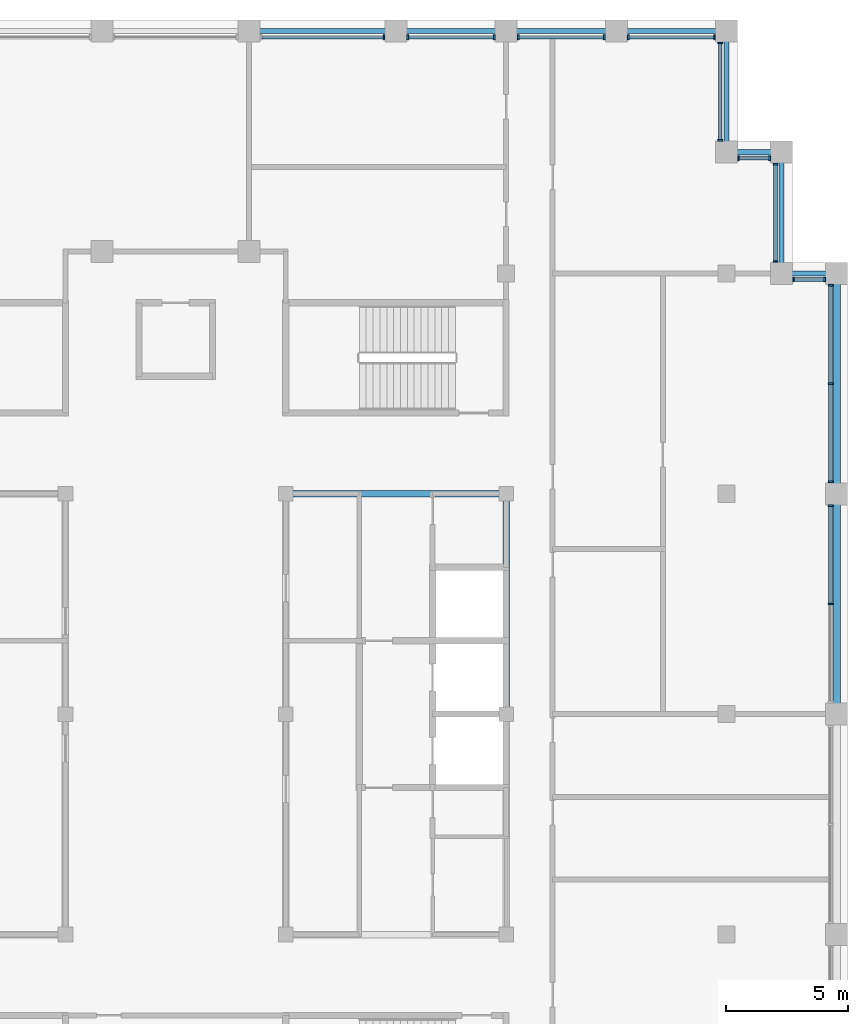
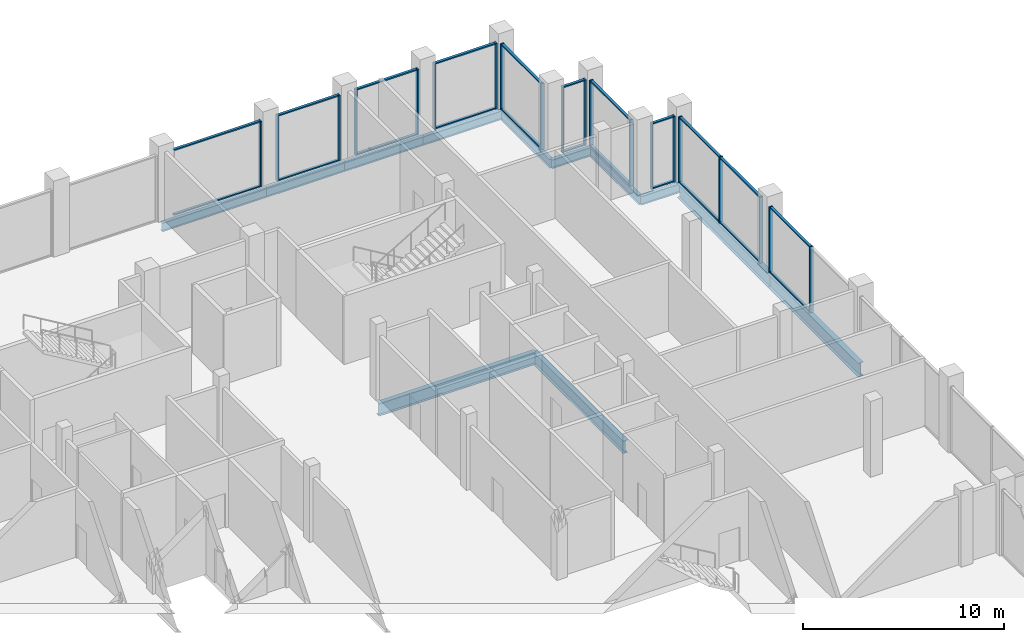
# One storey, part 6 of 13: 42 members, 12 beams, 10 elements without a shape of their own.
"""IFC4 building model written with IfcOpenShell, lengths in metres."""

from ifc_helpers import new_model, si_unit, direction, frame, origin, origin_2d, place, context, subcontext, project, spatial, rectangle, i_section, extrude, material, layer, layer_set, material_profile, profile_set, type_object, element, aggregate, save


model = new_model("IFC4")

# Units and contexts
model_context = context("Model", 3, precision=1e-05, world=origin(), true_north=direction((0.0, 1.0)))
body_context = subcontext(model_context, "Body", "Model", "MODEL_VIEW")
ifc_project = project(units=[si_unit("LENGTHUNIT", "METRE"), si_unit("AREAUNIT", "SQUARE_METRE"), si_unit("VOLUMEUNIT", "CUBIC_METRE"), si_unit("PLANEANGLEUNIT", "RADIAN"), si_unit("MASSUNIT", "GRAM", prefix="KILO")], contexts=[model_context])

# Site, building, storey
site_placement = place(None, origin())
site = spatial("IfcSite", under=ifc_project, at=site_placement, CompositionType="ELEMENT")
building_placement = place(site_placement, origin())
building = spatial("IfcBuilding", under=site, at=building_placement, Name="Corbelhall Arena Tower", CompositionType="ELEMENT")
storey_placement = place(building_placement, frame((0.0, 0.0, 361.0)))
storey = spatial("IfcBuildingStorey", under=building, at=storey_placement, Name="L79", CompositionType="ELEMENT", Elevation=361.0)

# Curtain wall, members
ifc_material_1 = material(Name="Aluminium black anodised", Category="aluminium")
ifc_layer = layer(ifc_material_1, 0.179931640625)
ifc_layer_set = layer_set([ifc_layer], Name="EV-CW3 Crown glazing")
curtain_wall_type = type_object("IfcCurtainWallType", Name="EV-CW3 Crown glazing", PredefinedType="NOTDEFINED", material=ifc_layer_set)
curtain_wall_1_placement = place(storey_placement, origin())
curtain_wall_1 = element("IfcCurtainWall", 1, at=curtain_wall_1_placement, inside=storey, type_object=curtain_wall_type, Name="Curtain wall CW3", PredefinedType="NOTDEFINED")
ifc_material_profile_1 = material_profile(ifc_material_1, rectangle(XDim=0.199951171875, YDim=0.074951171875, at=origin_2d()))
ifc_profile_set_1 = profile_set([ifc_material_profile_1], Name="Aluminium black anodised")
member_type_1 = type_object("IfcMemberType", Name="EV-CW3-MULLION", PredefinedType="MULLION", material=ifc_profile_set_1)
member_1_placement = place(storey_placement, frame((26.75, 4.5, 0.0), z_axis=(0.0, 0.0, 1.0), x_axis=(-1.0, 0.0, 0.0)))
member_1 = element("IfcMember", 2, at=member_1_placement, type_object=member_type_1, Name="CW3 mullion 2", PredefinedType="MULLION", context=body_context, shape_type="SweptSolid", body=[
    extrude(rectangle(XDim=0.199951171875, YDim=0.074951171875, at=origin_2d()), origin(), (0.0, 0.0, 1.0), 3.99951171875),
])
member_2_placement = place(storey_placement, frame((26.75, 8.512451171875, 0.0), z_axis=(0.0, 0.0, 1.0), x_axis=(-1.0, 0.0, 0.0)))
member_2 = element("IfcMember", 3, at=member_2_placement, type_object=member_type_1, Name="CW3 mullion 3", PredefinedType="MULLION", context=body_context, shape_type="SweptSolid", body=[
    extrude(rectangle(XDim=0.199951171875, YDim=0.074951171875, at=origin_2d()), origin(), (0.0, 0.0, 1.0), 3.99951171875),
])

curtain_wall_2_placement = place(storey_placement, origin())
curtain_wall_2 = element("IfcCurtainWall", 4, at=curtain_wall_2_placement, inside=storey, type_object=curtain_wall_type, Name="Curtain wall CW3", PredefinedType="NOTDEFINED")
member_3_placement = place(storey_placement, frame((26.75, 9.487548828125, 0.0), z_axis=(0.0, 0.0, 1.0), x_axis=(-1.0, 0.0, 0.0)))
member_3 = element("IfcMember", 5, at=member_3_placement, type_object=member_type_1, Name="CW3 mullion 1", PredefinedType="MULLION", context=body_context, shape_type="SweptSolid", body=[
    extrude(rectangle(XDim=0.199951171875, YDim=0.074951171875, at=origin_2d()), origin(), (0.0, 0.0, 1.0), 3.99951171875),
])
member_4_placement = place(storey_placement, frame((26.75, 13.5, 0.0), z_axis=(0.0, 0.0, 1.0), x_axis=(-1.0, 0.0, 0.0)))
member_4 = element("IfcMember", 6, at=member_4_placement, type_object=member_type_1, Name="CW3 mullion 2", PredefinedType="MULLION", context=body_context, shape_type="SweptSolid", body=[
    extrude(rectangle(XDim=0.199951171875, YDim=0.074951171875, at=origin_2d()), origin(), (0.0, 0.0, 1.0), 3.99951171875),
])
member_5_placement = place(storey_placement, frame((26.75, 17.512451171875, 0.0), z_axis=(0.0, 0.0, 1.0), x_axis=(-1.0, 0.0, 0.0)))
member_5 = element("IfcMember", 7, at=member_5_placement, type_object=member_type_1, Name="CW3 mullion 3", PredefinedType="MULLION", context=body_context, shape_type="SweptSolid", body=[
    extrude(rectangle(XDim=0.199951171875, YDim=0.074951171875, at=origin_2d()), origin(), (0.0, 0.0, 1.0), 3.99951171875),
])

curtain_wall_3_placement = place(storey_placement, origin())
curtain_wall_3 = element("IfcCurtainWall", 8, at=curtain_wall_3_placement, inside=storey, type_object=curtain_wall_type, Name="Curtain wall CW3B", PredefinedType="NOTDEFINED")
member_6_placement = place(storey_placement, frame((26.512451171875, 17.75, 0.0), z_axis=(0.0, 0.0, 1.0), x_axis=(0.0, -1.0, 0.0)))
member_6 = element("IfcMember", 9, at=member_6_placement, type_object=member_type_1, Name="CW3B mullion 1", PredefinedType="MULLION", context=body_context, shape_type="SweptSolid", body=[
    extrude(rectangle(XDim=0.199951171875, YDim=0.074951171875, at=origin_2d()), origin(), (0.0, 0.0, 1.0), 3.99951171875),
])
member_7_placement = place(storey_placement, frame((25.237548828125, 17.75, 0.0), z_axis=(0.0, 0.0, 1.0), x_axis=(0.0, -1.0, 0.0)))
member_7 = element("IfcMember", 10, at=member_7_placement, type_object=member_type_1, Name="CW3B mullion 2", PredefinedType="MULLION", context=body_context, shape_type="SweptSolid", body=[
    extrude(rectangle(XDim=0.199951171875, YDim=0.074951171875, at=origin_2d()), origin(), (0.0, 0.0, 1.0), 3.99951171875),
])

curtain_wall_4_placement = place(storey_placement, origin())
curtain_wall_4 = element("IfcCurtainWall", 11, at=curtain_wall_4_placement, inside=storey, type_object=curtain_wall_type, Name="Curtain wall CW3", PredefinedType="NOTDEFINED")
member_8_placement = place(storey_placement, frame((24.5, 18.487548828125, 0.0), z_axis=(0.0, 0.0, 1.0), x_axis=(-1.0, 0.0, 0.0)))
member_8 = element("IfcMember", 12, at=member_8_placement, type_object=member_type_1, Name="CW3 mullion 1", PredefinedType="MULLION", context=body_context, shape_type="SweptSolid", body=[
    extrude(rectangle(XDim=0.199951171875, YDim=0.074951171875, at=origin_2d()), origin(), (0.0, 0.0, 1.0), 3.99951171875),
])
member_9_placement = place(storey_placement, frame((24.5, 22.46240234375, 0.0), z_axis=(0.0, 0.0, 1.0), x_axis=(-1.0, 0.0, 0.0)))
member_9 = element("IfcMember", 13, at=member_9_placement, type_object=member_type_1, Name="CW3 mullion 2", PredefinedType="MULLION", context=body_context, shape_type="SweptSolid", body=[
    extrude(rectangle(XDim=0.199951171875, YDim=0.074951171875, at=origin_2d()), origin(), (0.0, 0.0, 1.0), 3.99951171875),
])

curtain_wall_5_placement = place(storey_placement, origin())
curtain_wall_5 = element("IfcCurtainWall", 14, at=curtain_wall_5_placement, inside=storey, type_object=curtain_wall_type, Name="Curtain wall CW3B", PredefinedType="NOTDEFINED")
member_10_placement = place(storey_placement, frame((24.262451171875, 22.699951171875, 0.0), z_axis=(0.0, 0.0, 1.0), x_axis=(0.0, -1.0, 0.0)))
member_10 = element("IfcMember", 15, at=member_10_placement, type_object=member_type_1, Name="CW3B mullion 1", PredefinedType="MULLION", context=body_context, shape_type="SweptSolid", body=[
    extrude(rectangle(XDim=0.199951171875, YDim=0.074951171875, at=origin_2d()), origin(), (0.0, 0.0, 1.0), 3.99951171875),
])
member_11_placement = place(storey_placement, frame((22.987548828125, 22.699951171875, 0.0), z_axis=(0.0, 0.0, 1.0), x_axis=(0.0, -1.0, 0.0)))
member_11 = element("IfcMember", 16, at=member_11_placement, type_object=member_type_1, Name="CW3B mullion 2", PredefinedType="MULLION", context=body_context, shape_type="SweptSolid", body=[
    extrude(rectangle(XDim=0.199951171875, YDim=0.074951171875, at=origin_2d()), origin(), (0.0, 0.0, 1.0), 3.99951171875),
])

curtain_wall_6_placement = place(storey_placement, origin())
curtain_wall_6 = element("IfcCurtainWall", 17, at=curtain_wall_6_placement, inside=storey, type_object=curtain_wall_type, Name="Curtain wall CW3", PredefinedType="NOTDEFINED")
member_12_placement = place(storey_placement, frame((22.25, 23.4375, 0.0), z_axis=(0.0, 0.0, 1.0), x_axis=(-1.0, 0.0, 0.0)))
member_12 = element("IfcMember", 18, at=member_12_placement, type_object=member_type_1, Name="CW3 mullion 1", PredefinedType="MULLION", context=body_context, shape_type="SweptSolid", body=[
    extrude(rectangle(XDim=0.199951171875, YDim=0.074951171875, at=origin_2d()), origin(), (0.0, 0.0, 1.0), 3.99951171875),
])
member_13_placement = place(storey_placement, frame((22.25, 27.41259765625, 0.0), z_axis=(0.0, 0.0, 1.0), x_axis=(-1.0, 0.0, 0.0)))
member_13 = element("IfcMember", 19, at=member_13_placement, type_object=member_type_1, Name="CW3 mullion 2", PredefinedType="MULLION", context=body_context, shape_type="SweptSolid", body=[
    extrude(rectangle(XDim=0.199951171875, YDim=0.074951171875, at=origin_2d()), origin(), (0.0, 0.0, 1.0), 3.99951171875),
])

curtain_wall_7_placement = place(storey_placement, origin())
curtain_wall_7 = element("IfcCurtainWall", 20, at=curtain_wall_7_placement, inside=storey, type_object=curtain_wall_type, Name="Curtain wall CW3A", PredefinedType="NOTDEFINED")
member_14_placement = place(storey_placement, frame((22.012451171875, 27.64990234375, 0.0), z_axis=(0.0, 0.0, 1.0), x_axis=(0.0, -1.0, 0.0)))
member_14 = element("IfcMember", 21, at=member_14_placement, type_object=member_type_1, Name="CW3A mullion 1", PredefinedType="MULLION", context=body_context, shape_type="SweptSolid", body=[
    extrude(rectangle(XDim=0.199951171875, YDim=0.074951171875, at=origin_2d()), origin(), (0.0, 0.0, 1.0), 3.99951171875),
])
member_15_placement = place(storey_placement, frame((18.487548828125, 27.64990234375, 0.0), z_axis=(0.0, 0.0, 1.0), x_axis=(0.0, -1.0, 0.0)))
member_15 = element("IfcMember", 22, at=member_15_placement, type_object=member_type_1, Name="CW3A mullion 2", PredefinedType="MULLION", context=body_context, shape_type="SweptSolid", body=[
    extrude(rectangle(XDim=0.199951171875, YDim=0.074951171875, at=origin_2d()), origin(), (0.0, 0.0, 1.0), 3.99951171875),
])

curtain_wall_8_placement = place(storey_placement, origin())
curtain_wall_8 = element("IfcCurtainWall", 23, at=curtain_wall_8_placement, inside=storey, type_object=curtain_wall_type, Name="Curtain wall CW3A", PredefinedType="NOTDEFINED")
member_16_placement = place(storey_placement, frame((17.512451171875, 27.64990234375, 0.0), z_axis=(0.0, 0.0, 1.0), x_axis=(0.0, -1.0, 0.0)))
member_16 = element("IfcMember", 24, at=member_16_placement, type_object=member_type_1, Name="CW3A mullion 1", PredefinedType="MULLION", context=body_context, shape_type="SweptSolid", body=[
    extrude(rectangle(XDim=0.199951171875, YDim=0.074951171875, at=origin_2d()), origin(), (0.0, 0.0, 1.0), 3.99951171875),
])
member_17_placement = place(storey_placement, frame((13.987548828125, 27.64990234375, 0.0), z_axis=(0.0, 0.0, 1.0), x_axis=(0.0, -1.0, 0.0)))
member_17 = element("IfcMember", 25, at=member_17_placement, type_object=member_type_1, Name="CW3A mullion 2", PredefinedType="MULLION", context=body_context, shape_type="SweptSolid", body=[
    extrude(rectangle(XDim=0.199951171875, YDim=0.074951171875, at=origin_2d()), origin(), (0.0, 0.0, 1.0), 3.99951171875),
])

curtain_wall_9_placement = place(storey_placement, origin())
curtain_wall_9 = element("IfcCurtainWall", 26, at=curtain_wall_9_placement, inside=storey, type_object=curtain_wall_type, Name="Curtain wall CW3A", PredefinedType="NOTDEFINED")
member_18_placement = place(storey_placement, frame((13.012451171875, 27.64990234375, 0.0), z_axis=(0.0, 0.0, 1.0), x_axis=(0.0, -1.0, 0.0)))
member_18 = element("IfcMember", 27, at=member_18_placement, type_object=member_type_1, Name="CW3A mullion 1", PredefinedType="MULLION", context=body_context, shape_type="SweptSolid", body=[
    extrude(rectangle(XDim=0.199951171875, YDim=0.074951171875, at=origin_2d()), origin(), (0.0, 0.0, 1.0), 3.99951171875),
])
member_19_placement = place(storey_placement, frame((9.487548828125, 27.64990234375, 0.0), z_axis=(0.0, 0.0, 1.0), x_axis=(0.0, -1.0, 0.0)))
member_19 = element("IfcMember", 28, at=member_19_placement, type_object=member_type_1, Name="CW3A mullion 2", PredefinedType="MULLION", context=body_context, shape_type="SweptSolid", body=[
    extrude(rectangle(XDim=0.199951171875, YDim=0.074951171875, at=origin_2d()), origin(), (0.0, 0.0, 1.0), 3.99951171875),
])

# Curtain wall, member
curtain_wall_10_placement = place(storey_placement, origin())
curtain_wall_10 = element("IfcCurtainWall", 29, at=curtain_wall_10_placement, inside=storey, type_object=curtain_wall_type, Name="Curtain wall CW3C", PredefinedType="NOTDEFINED")
member_20_placement = place(storey_placement, frame((8.512451171875, 27.64990234375, 0.0), z_axis=(0.0, 0.0, 1.0), x_axis=(0.0, -1.0, 0.0)))
member_20 = element("IfcMember", 30, at=member_20_placement, type_object=member_type_1, Name="CW3C mullion 1", PredefinedType="MULLION", context=body_context, shape_type="SweptSolid", body=[
    extrude(rectangle(XDim=0.199951171875, YDim=0.074951171875, at=origin_2d()), origin(), (0.0, 0.0, 1.0), 3.99951171875),
])

# Member
ifc_material_profile_2 = material_profile(ifc_material_1, rectangle(XDim=0.14990234375, YDim=0.074951171875, at=origin_2d()))
ifc_profile_set_2 = profile_set([ifc_material_profile_2], Name="Aluminium black anodised")
member_type_2 = type_object("IfcMemberType", Name="EV-CW3-TRANSOM", PredefinedType="USERDEFINED", material=ifc_profile_set_2)
member_21_placement = place(storey_placement, frame((26.75, 4.53759765625, 0.03759765625), z_axis=(0.0, 1.0, 0.0), x_axis=(-1.0, 0.0, 0.0)))
member_21 = element("IfcMember", 31, at=member_21_placement, type_object=member_type_2, Name="CW3 transom 2.1", ObjectType="transom", PredefinedType="USERDEFINED", context=body_context, shape_type="SweptSolid", body=[
    extrude(rectangle(XDim=0.14990234375, YDim=0.074951171875, at=origin_2d()), origin(), (0.0, 0.0, 1.0), 3.9375),
])

member_22_placement = place(storey_placement, frame((26.75, 4.53759765625, 3.962158203125), z_axis=(0.0, 1.0, 0.0), x_axis=(-1.0, 0.0, 0.0)))
member_22 = element("IfcMember", 32, at=member_22_placement, type_object=member_type_2, Name="CW3 transom 2.2", ObjectType="transom", PredefinedType="USERDEFINED", context=body_context, shape_type="SweptSolid", body=[
    extrude(rectangle(XDim=0.14990234375, YDim=0.074951171875, at=origin_2d()), origin(), (0.0, 0.0, 1.0), 3.9375),
])

aggregate(curtain_wall_1, [member_1, member_2, member_21, member_22])

member_23_placement = place(storey_placement, frame((26.75, 9.52490234375, 0.03759765625), z_axis=(0.0, 1.0, 0.0), x_axis=(-1.0, 0.0, 0.0)))
member_23 = element("IfcMember", 33, at=member_23_placement, type_object=member_type_2, Name="CW3 transom 1.1", ObjectType="transom", PredefinedType="USERDEFINED", context=body_context, shape_type="SweptSolid", body=[
    extrude(rectangle(XDim=0.14990234375, YDim=0.074951171875, at=origin_2d()), origin(), (0.0, 0.0, 1.0), 3.9375),
])

member_24_placement = place(storey_placement, frame((26.75, 9.52490234375, 3.962158203125), z_axis=(0.0, 1.0, 0.0), x_axis=(-1.0, 0.0, 0.0)))
member_24 = element("IfcMember", 34, at=member_24_placement, type_object=member_type_2, Name="CW3 transom 1.2", ObjectType="transom", PredefinedType="USERDEFINED", context=body_context, shape_type="SweptSolid", body=[
    extrude(rectangle(XDim=0.14990234375, YDim=0.074951171875, at=origin_2d()), origin(), (0.0, 0.0, 1.0), 3.9375),
])

member_25_placement = place(storey_placement, frame((26.75, 13.53759765625, 0.03759765625), z_axis=(0.0, 1.0, 0.0), x_axis=(-1.0, 0.0, 0.0)))
member_25 = element("IfcMember", 35, at=member_25_placement, type_object=member_type_2, Name="CW3 transom 2.1", ObjectType="transom", PredefinedType="USERDEFINED", context=body_context, shape_type="SweptSolid", body=[
    extrude(rectangle(XDim=0.14990234375, YDim=0.074951171875, at=origin_2d()), origin(), (0.0, 0.0, 1.0), 3.9375),
])

member_26_placement = place(storey_placement, frame((26.75, 13.53759765625, 3.962158203125), z_axis=(0.0, 1.0, 0.0), x_axis=(-1.0, 0.0, 0.0)))
member_26 = element("IfcMember", 36, at=member_26_placement, type_object=member_type_2, Name="CW3 transom 2.2", ObjectType="transom", PredefinedType="USERDEFINED", context=body_context, shape_type="SweptSolid", body=[
    extrude(rectangle(XDim=0.14990234375, YDim=0.074951171875, at=origin_2d()), origin(), (0.0, 0.0, 1.0), 3.9375),
])

aggregate(curtain_wall_2, [member_3, member_4, member_5, member_23, member_24, member_25, member_26])

member_27_placement = place(storey_placement, frame((26.47509765625, 17.75, 0.03759765625), z_axis=(-1.0, 0.0, 0.0), x_axis=(0.0, -1.0, 0.0)))
member_27 = element("IfcMember", 37, at=member_27_placement, type_object=member_type_2, Name="CW3B transom 1.1", ObjectType="transom", PredefinedType="USERDEFINED", context=body_context, shape_type="SweptSolid", body=[
    extrude(rectangle(XDim=0.14990234375, YDim=0.074951171875, at=origin_2d()), origin(), (0.0, 0.0, 1.0), 1.2001953125),
])

member_28_placement = place(storey_placement, frame((26.47509765625, 17.75, 3.962158203125), z_axis=(-1.0, 0.0, 0.0), x_axis=(0.0, -1.0, 0.0)))
member_28 = element("IfcMember", 38, at=member_28_placement, type_object=member_type_2, Name="CW3B transom 1.2", ObjectType="transom", PredefinedType="USERDEFINED", context=body_context, shape_type="SweptSolid", body=[
    extrude(rectangle(XDim=0.14990234375, YDim=0.074951171875, at=origin_2d()), origin(), (0.0, 0.0, 1.0), 1.2001953125),
])

aggregate(curtain_wall_3, [member_6, member_7, member_27, member_28])

member_29_placement = place(storey_placement, frame((24.5, 18.52490234375, 0.03759765625), z_axis=(0.0, 1.0, 0.0), x_axis=(-1.0, 0.0, 0.0)))
member_29 = element("IfcMember", 39, at=member_29_placement, type_object=member_type_2, Name="CW3 transom 1.1", ObjectType="transom", PredefinedType="USERDEFINED", context=body_context, shape_type="SweptSolid", body=[
    extrude(rectangle(XDim=0.14990234375, YDim=0.074951171875, at=origin_2d()), origin(), (0.0, 0.0, 1.0), 3.900146484375),
])

member_30_placement = place(storey_placement, frame((24.5, 18.52490234375, 3.962158203125), z_axis=(0.0, 1.0, 0.0), x_axis=(-1.0, 0.0, 0.0)))
member_30 = element("IfcMember", 40, at=member_30_placement, type_object=member_type_2, Name="CW3 transom 1.2", ObjectType="transom", PredefinedType="USERDEFINED", context=body_context, shape_type="SweptSolid", body=[
    extrude(rectangle(XDim=0.14990234375, YDim=0.074951171875, at=origin_2d()), origin(), (0.0, 0.0, 1.0), 3.900146484375),
])

aggregate(curtain_wall_4, [member_8, member_9, member_29, member_30])

member_31_placement = place(storey_placement, frame((24.22509765625, 22.699951171875, 0.03759765625), z_axis=(-1.0, 0.0, 0.0), x_axis=(0.0, -1.0, 0.0)))
member_31 = element("IfcMember", 41, at=member_31_placement, type_object=member_type_2, Name="CW3B transom 1.1", ObjectType="transom", PredefinedType="USERDEFINED", context=body_context, shape_type="SweptSolid", body=[
    extrude(rectangle(XDim=0.14990234375, YDim=0.074951171875, at=origin_2d()), origin(), (0.0, 0.0, 1.0), 1.2001953125),
])

member_32_placement = place(storey_placement, frame((24.22509765625, 22.699951171875, 3.962158203125), z_axis=(-1.0, 0.0, 0.0), x_axis=(0.0, -1.0, 0.0)))
member_32 = element("IfcMember", 42, at=member_32_placement, type_object=member_type_2, Name="CW3B transom 1.2", ObjectType="transom", PredefinedType="USERDEFINED", context=body_context, shape_type="SweptSolid", body=[
    extrude(rectangle(XDim=0.14990234375, YDim=0.074951171875, at=origin_2d()), origin(), (0.0, 0.0, 1.0), 1.2001953125),
])

aggregate(curtain_wall_5, [member_10, member_11, member_31, member_32])

member_33_placement = place(storey_placement, frame((22.25, 23.47509765625, 0.03759765625), z_axis=(0.0, 1.0, 0.0), x_axis=(-1.0, 0.0, 0.0)))
member_33 = element("IfcMember", 43, at=member_33_placement, type_object=member_type_2, Name="CW3 transom 1.1", ObjectType="transom", PredefinedType="USERDEFINED", context=body_context, shape_type="SweptSolid", body=[
    extrude(rectangle(XDim=0.14990234375, YDim=0.074951171875, at=origin_2d()), origin(), (0.0, 0.0, 1.0), 3.89990234375),
])

member_34_placement = place(storey_placement, frame((22.25, 23.47509765625, 3.962158203125), z_axis=(0.0, 1.0, 0.0), x_axis=(-1.0, 0.0, 0.0)))
member_34 = element("IfcMember", 44, at=member_34_placement, type_object=member_type_2, Name="CW3 transom 1.2", ObjectType="transom", PredefinedType="USERDEFINED", context=body_context, shape_type="SweptSolid", body=[
    extrude(rectangle(XDim=0.14990234375, YDim=0.074951171875, at=origin_2d()), origin(), (0.0, 0.0, 1.0), 3.89990234375),
])

aggregate(curtain_wall_6, [member_12, member_13, member_33, member_34])

member_35_placement = place(storey_placement, frame((21.97509765625, 27.64990234375, 0.03759765625), z_axis=(-1.0, 0.0, 0.0), x_axis=(0.0, -1.0, 0.0)))
member_35 = element("IfcMember", 45, at=member_35_placement, type_object=member_type_2, Name="CW3A transom 1.1", ObjectType="transom", PredefinedType="USERDEFINED", context=body_context, shape_type="SweptSolid", body=[
    extrude(rectangle(XDim=0.14990234375, YDim=0.074951171875, at=origin_2d()), origin(), (0.0, 0.0, 1.0), 3.4501953125),
])

member_36_placement = place(storey_placement, frame((21.97509765625, 27.64990234375, 3.962158203125), z_axis=(-1.0, 0.0, 0.0), x_axis=(0.0, -1.0, 0.0)))
member_36 = element("IfcMember", 46, at=member_36_placement, type_object=member_type_2, Name="CW3A transom 1.2", ObjectType="transom", PredefinedType="USERDEFINED", context=body_context, shape_type="SweptSolid", body=[
    extrude(rectangle(XDim=0.14990234375, YDim=0.074951171875, at=origin_2d()), origin(), (0.0, 0.0, 1.0), 3.4501953125),
])

aggregate(curtain_wall_7, [member_14, member_15, member_35, member_36])

member_37_placement = place(storey_placement, frame((17.47509765625, 27.64990234375, 0.03759765625), z_axis=(-1.0, 0.0, 0.0), x_axis=(0.0, -1.0, 0.0)))
member_37 = element("IfcMember", 47, at=member_37_placement, type_object=member_type_2, Name="CW3A transom 1.1", ObjectType="transom", PredefinedType="USERDEFINED", context=body_context, shape_type="SweptSolid", body=[
    extrude(rectangle(XDim=0.14990234375, YDim=0.074951171875, at=origin_2d()), origin(), (0.0, 0.0, 1.0), 3.4501953125),
])

member_38_placement = place(storey_placement, frame((17.47509765625, 27.64990234375, 3.962158203125), z_axis=(-1.0, 0.0, 0.0), x_axis=(0.0, -1.0, 0.0)))
member_38 = element("IfcMember", 48, at=member_38_placement, type_object=member_type_2, Name="CW3A transom 1.2", ObjectType="transom", PredefinedType="USERDEFINED", context=body_context, shape_type="SweptSolid", body=[
    extrude(rectangle(XDim=0.14990234375, YDim=0.074951171875, at=origin_2d()), origin(), (0.0, 0.0, 1.0), 3.4501953125),
])

aggregate(curtain_wall_8, [member_16, member_17, member_37, member_38])

member_39_placement = place(storey_placement, frame((12.97509765625, 27.64990234375, 0.03759765625), z_axis=(-1.0, 0.0, 0.0), x_axis=(0.0, -1.0, 0.0)))
member_39 = element("IfcMember", 49, at=member_39_placement, type_object=member_type_2, Name="CW3A transom 1.1", ObjectType="transom", PredefinedType="USERDEFINED", context=body_context, shape_type="SweptSolid", body=[
    extrude(rectangle(XDim=0.14990234375, YDim=0.074951171875, at=origin_2d()), origin(), (0.0, 0.0, 1.0), 3.4501953125),
])

member_40_placement = place(storey_placement, frame((12.97509765625, 27.64990234375, 3.962158203125), z_axis=(-1.0, 0.0, 0.0), x_axis=(0.0, -1.0, 0.0)))
member_40 = element("IfcMember", 50, at=member_40_placement, type_object=member_type_2, Name="CW3A transom 1.2", ObjectType="transom", PredefinedType="USERDEFINED", context=body_context, shape_type="SweptSolid", body=[
    extrude(rectangle(XDim=0.14990234375, YDim=0.074951171875, at=origin_2d()), origin(), (0.0, 0.0, 1.0), 3.4501953125),
])

aggregate(curtain_wall_9, [member_18, member_19, member_39, member_40])

member_41_placement = place(storey_placement, frame((8.47509765625, 27.64990234375, 0.03759765625), z_axis=(-1.0, 0.0, 0.0), x_axis=(0.0, -1.0, 0.0)))
member_41 = element("IfcMember", 51, at=member_41_placement, type_object=member_type_2, Name="CW3C transom 1.1", ObjectType="transom", PredefinedType="USERDEFINED", context=body_context, shape_type="SweptSolid", body=[
    extrude(rectangle(XDim=0.14990234375, YDim=0.074951171875, at=origin_2d()), origin(), (0.0, 0.0, 1.0), 4.9501953125),
])

member_42_placement = place(storey_placement, frame((8.47509765625, 27.64990234375, 3.962158203125), z_axis=(-1.0, 0.0, 0.0), x_axis=(0.0, -1.0, 0.0)))
member_42 = element("IfcMember", 52, at=member_42_placement, type_object=member_type_2, Name="CW3C transom 1.2", ObjectType="transom", PredefinedType="USERDEFINED", context=body_context, shape_type="SweptSolid", body=[
    extrude(rectangle(XDim=0.14990234375, YDim=0.074951171875, at=origin_2d()), origin(), (0.0, 0.0, 1.0), 4.9501953125),
])

aggregate(curtain_wall_10, [member_20, member_41, member_42])

# Beams
ifc_material_2 = material(Name="Steel ASTM A992 Gr50", Category="steel")
ifc_material_profile_3 = material_profile(ifc_material_2, i_section(OverallWidth=0.2666015625, OverallDepth=0.761962890625, WebThickness=0.014404296875, FlangeThickness=0.021484375, at=origin_2d()))
ifc_profile_set_3 = profile_set([ifc_material_profile_3], Name="Steel ASTM A992 Gr50")
beam_type_1 = type_object("IfcBeamType", Name="ST-BEAM-W30x116", PredefinedType="BEAM", material=ifc_profile_set_3)
for number, where, z_axis, x_axis, name in (
    (53, (13.5, 0.0, -0.781494140625), (0.0, 1.0, 0.0), (-1.0, 0.0, 0.0), "Beam CEE 10"),
    (54, (4.5, 9.0, -0.781494140625), (1.0, 0.0, 0.0), (0.0, 1.0, 0.0), "Beam CEE 12"),
):
    element("IfcBeam", number, at=place(storey_placement, frame(where, z_axis=z_axis, x_axis=x_axis)), inside=storey, type_object=beam_type_1, Name=name, PredefinedType="BEAM", context=body_context, shape_type="SweptSolid", body=[
        extrude(i_section(OverallWidth=0.2666015625, OverallDepth=0.761962890625, WebThickness=0.014404296875, FlangeThickness=0.021484375, at=origin_2d()), origin(), (0.0, 0.0, 1.0), 9.0),
    ])
ifc_material_profile_4 = material_profile(ifc_material_2, i_section(OverallWidth=0.2099609375, OverallDepth=0.535888671875, WebThickness=0.010986328125, FlangeThickness=0.017333984375, at=origin_2d()))
ifc_profile_set_4 = profile_set([ifc_material_profile_4], Name="Steel ASTM A992 Gr50")
beam_type_2 = type_object("IfcBeamType", Name="ST-SPANDREL-W21x68", PredefinedType="SPANDREL", material=ifc_profile_set_4)
beam_1_placement = place(storey_placement, frame((3.0, 27.89990234375, -0.66845703125), z_axis=(1.0, 0.0, 0.0), x_axis=(0.0, 1.0, 0.0)))
element("IfcBeam", 55, at=beam_1_placement, inside=storey, type_object=beam_type_2, Name="Beam SP 6", PredefinedType="SPANDREL", context=body_context, shape_type="SweptSolid", body=[
    extrude(i_section(OverallWidth=0.2099609375, OverallDepth=0.535888671875, WebThickness=0.010986328125, FlangeThickness=0.017333984375, at=origin_2d()), origin(), (0.0, 0.0, 1.0), 6.0),
])
for number, where, z_axis, x_axis, name in (
    (56, (9.0, 27.89990234375, -0.66845703125), (1.0, 0.0, 0.0), (0.0, 1.0, 0.0), "Beam SP 7"),
    (57, (13.5, 27.89990234375, -0.66845703125), (1.0, 0.0, 0.0), (0.0, 1.0, 0.0), "Beam SP 8"),
    (58, (18.0, 27.89990234375, -0.66845703125), (1.0, 0.0, 0.0), (0.0, 1.0, 0.0), "Beam SP 9"),
):
    element("IfcBeam", number, at=place(storey_placement, frame(where, z_axis=z_axis, x_axis=x_axis)), inside=storey, type_object=beam_type_2, Name=name, PredefinedType="SPANDREL", context=body_context, shape_type="SweptSolid", body=[
        extrude(i_section(OverallWidth=0.2099609375, OverallDepth=0.535888671875, WebThickness=0.010986328125, FlangeThickness=0.017333984375, at=origin_2d()), origin(), (0.0, 0.0, 1.0), 4.5),
    ])
beam_2_placement = place(storey_placement, frame((22.5, 27.89990234375, -0.66845703125), z_axis=(0.0, -1.0, 0.0), x_axis=(1.0, 0.0, 0.0)))
element("IfcBeam", 59, at=beam_2_placement, inside=storey, type_object=beam_type_2, Name="Beam SP 10", PredefinedType="SPANDREL", context=body_context, shape_type="SweptSolid", body=[
    extrude(i_section(OverallWidth=0.2099609375, OverallDepth=0.535888671875, WebThickness=0.010986328125, FlangeThickness=0.017333984375, at=origin_2d()), origin(), (0.0, 0.0, 1.0), 4.949951171875),
])
beam_3_placement = place(storey_placement, frame((22.5, 22.949951171875, -0.66845703125), z_axis=(1.0, 0.0, 0.0), x_axis=(0.0, 1.0, 0.0)))
element("IfcBeam", 60, at=beam_3_placement, inside=storey, type_object=beam_type_2, Name="Beam SP 31", PredefinedType="SPANDREL", context=body_context, shape_type="SweptSolid", body=[
    extrude(i_section(OverallWidth=0.2099609375, OverallDepth=0.535888671875, WebThickness=0.010986328125, FlangeThickness=0.017333984375, at=origin_2d()), origin(), (0.0, 0.0, 1.0), 2.25),
])
beam_4_placement = place(storey_placement, frame((24.75, 22.949951171875, -0.66845703125), z_axis=(0.0, -1.0, 0.0), x_axis=(1.0, 0.0, 0.0)))
element("IfcBeam", 61, at=beam_4_placement, inside=storey, type_object=beam_type_2, Name="Beam SP 32", PredefinedType="SPANDREL", context=body_context, shape_type="SweptSolid", body=[
    extrude(i_section(OverallWidth=0.2099609375, OverallDepth=0.535888671875, WebThickness=0.010986328125, FlangeThickness=0.017333984375, at=origin_2d()), origin(), (0.0, 0.0, 1.0), 4.949951171875),
])
beam_5_placement = place(storey_placement, frame((24.75, 18.0, -0.66845703125), z_axis=(1.0, 0.0, 0.0), x_axis=(0.0, 1.0, 0.0)))
element("IfcBeam", 62, at=beam_5_placement, inside=storey, type_object=beam_type_2, Name="Beam SP 33", PredefinedType="SPANDREL", context=body_context, shape_type="SweptSolid", body=[
    extrude(i_section(OverallWidth=0.2099609375, OverallDepth=0.535888671875, WebThickness=0.010986328125, FlangeThickness=0.017333984375, at=origin_2d()), origin(), (0.0, 0.0, 1.0), 2.25),
])
ifc_material_profile_5 = material_profile(ifc_material_2, i_section(OverallWidth=0.2919921875, OverallDepth=0.845703125, WebThickness=0.015380859375, FlangeThickness=0.0244140625, at=origin_2d()))
ifc_profile_set_5 = profile_set([ifc_material_profile_5], Name="Steel ASTM A992 Gr50")
beam_type_3 = type_object("IfcBeamType", Name="ST-SPANDREL-W33x141", PredefinedType="SPANDREL", material=ifc_profile_set_5)
for number, where, z_axis, x_axis, name in (
    (63, (27.0, 9.0, -0.8232421875), (0.0, -1.0, 0.0), (1.0, 0.0, 0.0), "Beam SP 2"),
    (64, (27.0, 18.0, -0.8232421875), (0.0, -1.0, 0.0), (1.0, 0.0, 0.0), "Beam SP 3"),
):
    element("IfcBeam", number, at=place(storey_placement, frame(where, z_axis=z_axis, x_axis=x_axis)), inside=storey, type_object=beam_type_3, Name=name, PredefinedType="SPANDREL", context=body_context, shape_type="SweptSolid", body=[
        extrude(i_section(OverallWidth=0.2919921875, OverallDepth=0.845703125, WebThickness=0.015380859375, FlangeThickness=0.0244140625, at=origin_2d()), origin(), (0.0, 0.0, 1.0), 9.0),
    ])

save(model, "model.ifc")
